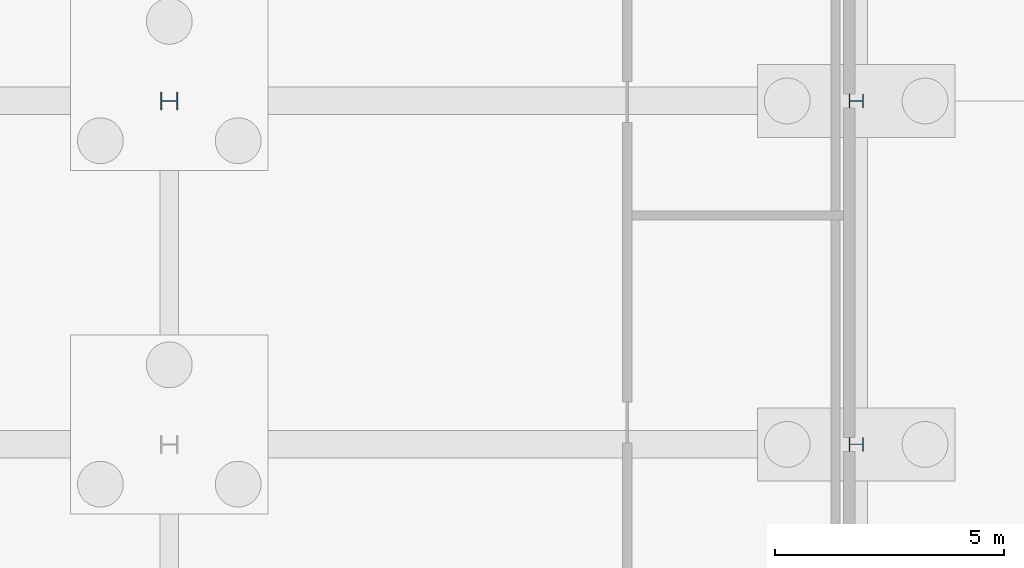
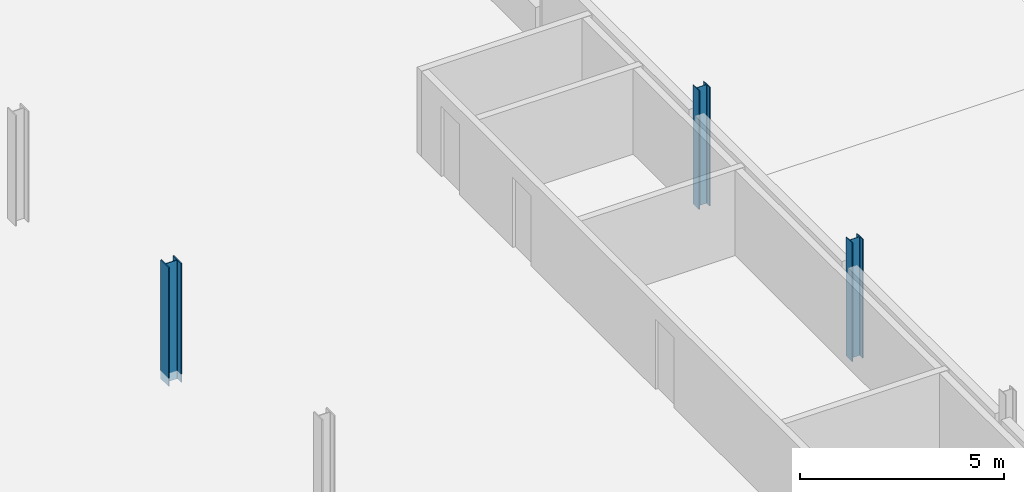
# One storey, part 31 of 130: 3 columns.
"""IFC4 building model written with IfcOpenShell, lengths in metres."""

from ifc_helpers import new_model, si_unit, direction, frame, origin, origin_2d, place, context, subcontext, project, spatial, i_section, extrude, material, material_profile, profile_set, type_object, element, save


model = new_model("IFC4")

# Units and contexts
model_context = context("Model", 3, precision=1e-05, world=origin(), true_north=direction((0.0, 1.0)))
body_context = subcontext(model_context, "Body", "Model", "MODEL_VIEW")
ifc_project = project(units=[si_unit("LENGTHUNIT", "METRE"), si_unit("AREAUNIT", "SQUARE_METRE"), si_unit("VOLUMEUNIT", "CUBIC_METRE"), si_unit("PLANEANGLEUNIT", "RADIAN"), si_unit("MASSUNIT", "GRAM", prefix="KILO")], contexts=[model_context])

# Site, building, storey
site_placement = place(None, origin())
site = spatial("IfcSite", under=ifc_project, at=site_placement, CompositionType="ELEMENT")
building_placement = place(site_placement, origin())
building = spatial("IfcBuilding", under=site, at=building_placement, Name="Parallax Yard Mobility Hub", CompositionType="ELEMENT")
storey_placement = place(building_placement, origin())
storey = spatial("IfcBuildingStorey", under=building, at=storey_placement, Name="L00", CompositionType="ELEMENT", Elevation=0.0)

# Columns
ifc_material = material(Name="Steel ASTM A992", Category="steel")
ifc_material_profile_1 = material_profile(ifc_material, i_section(OverallWidth=0.306884765625, OverallDepth=0.318115234375, WebThickness=0.01318359375, FlangeThickness=0.0205078125, FilletRadius=0.01513671875, at=origin_2d()), Name="W310x129")
ifc_profile_set_1 = profile_set([ifc_material_profile_1], Name="Steel ASTM A992")
column_type_1 = type_object("IfcColumnType", Name="W310x129 column", PredefinedType="COLUMN", material=ifc_profile_set_1)
for number, where, z_axis, x_axis, name in (
    (1, (225.0, 60.0, -0.25), (0.0, 0.0, 1.0), (0.0, 1.0, 0.0), "Column C3 level L00 at J/31 of ramped parking decks"),
    (2, (225.0, 52.5, -0.25), (0.0, 0.0, 1.0), (0.0, 1.0, 0.0), "Column C3 level L00 at H/31 of ramped parking decks"),
):
    element("IfcColumn", number, at=place(storey_placement, frame(where, z_axis=z_axis, x_axis=x_axis)), inside=storey, type_object=column_type_1, Name=name, PredefinedType="COLUMN", context=body_context, shape_type="SweptSolid", body=[
        extrude(i_section(OverallWidth=0.306884765625, OverallDepth=0.318115234375, WebThickness=0.01318359375, FlangeThickness=0.0205078125, FilletRadius=0.01513671875, at=origin_2d()), origin(), (0.0, 0.0, 1.0), 3.550048828125),
    ])
ifc_material_profile_2 = material_profile(ifc_material, i_section(OverallWidth=0.39599609375, OverallDepth=0.381103515625, WebThickness=0.018798828125, FlangeThickness=0.0302734375, FilletRadius=0.015380859375, at=origin_2d()), Name="W360x237")
ifc_profile_set_2 = profile_set([ifc_material_profile_2], Name="Steel ASTM A992")
column_type_2 = type_object("IfcColumnType", Name="W360x237 column", PredefinedType="COLUMN", material=ifc_profile_set_2)
column_placement = place(storey_placement, frame((210.0, 60.0, -0.25), z_axis=(0.0, 0.0, 1.0), x_axis=(0.0, 1.0, 0.0)))
element("IfcColumn", 3, at=column_placement, inside=storey, type_object=column_type_2, Name="Column C10 level L00 at J/29 of ramped parking decks", PredefinedType="COLUMN", context=body_context, shape_type="SweptSolid", body=[
    extrude(i_section(OverallWidth=0.39599609375, OverallDepth=0.381103515625, WebThickness=0.018798828125, FlangeThickness=0.0302734375, FilletRadius=0.015380859375, at=origin_2d()), origin(), (0.0, 0.0, 1.0), 3.550048828125),
])

save(model, "model.ifc")
